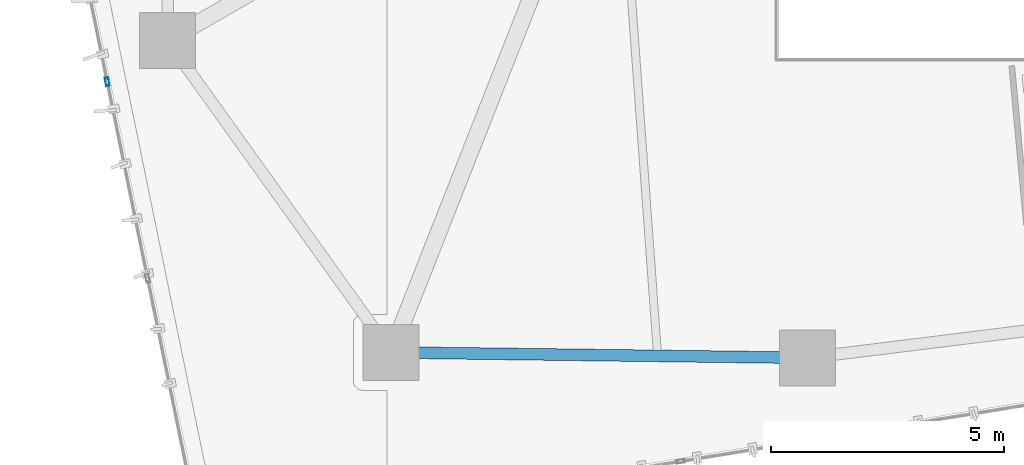
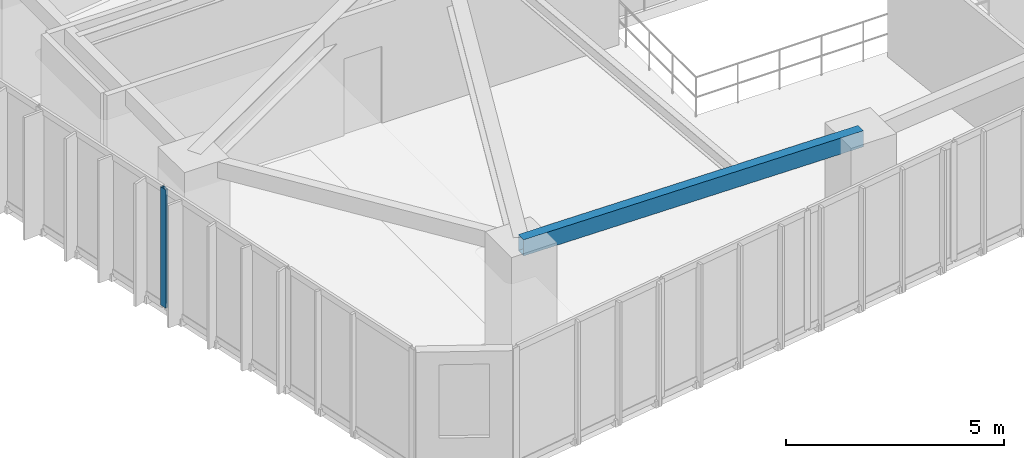
# One storey, part 3 of 23: 1 beam, 1 member, 1 element without a shape of its own.
"""IFC4 building model written with IfcOpenShell, lengths in metres."""

from ifc_helpers import new_model, si_unit, direction, frame, origin, origin_2d, place, context, subcontext, project, spatial, hollow_rectangle, extrude, source, transform, mapped, material, layer, layer_set, material_profile, profile_set, type_object, type_shapes, element, aggregate, save


model = new_model("IFC4")

# Units and contexts
model_context = context("Model", 3, precision=1e-05, world=origin(), true_north=direction((0.0, 1.0)))
body_context = subcontext(model_context, "Body", "Model", "MODEL_VIEW")
ifc_project = project(units=[si_unit("LENGTHUNIT", "METRE"), si_unit("AREAUNIT", "SQUARE_METRE"), si_unit("VOLUMEUNIT", "CUBIC_METRE"), si_unit("PLANEANGLEUNIT", "RADIAN"), si_unit("MASSUNIT", "GRAM", prefix="KILO")], contexts=[model_context])

# Site, building, storey
site_placement = place(None, origin())
site = spatial("IfcSite", under=ifc_project, at=site_placement, CompositionType="ELEMENT")
building_placement = place(site_placement, origin())
building = spatial("IfcBuilding", under=site, at=building_placement, Name="Talar Marvaseh", CompositionType="ELEMENT")
storey_placement = place(building_placement, frame((0.0, 0.0, 118.199951171875)))
storey = spatial("IfcBuildingStorey", under=building, at=storey_placement, Name="L30", CompositionType="ELEMENT", Elevation=118.199951171875)

# Beam
ifc_material_1 = material(Name="Steel S355", Category="steel")
ifc_material_profile_1 = material_profile(ifc_material_1, hollow_rectangle(XDim=0.25, YDim=0.449951171875, WallThickness=0.01611328125, at=origin_2d()), Name="RHS450x250x16")
ifc_profile_set_1 = profile_set([ifc_material_profile_1], Name="Steel S355")
beam_type = type_object("IfcBeamType", Name="Zone 2 Perimeter Spandrel Beam RHS450x250x16", PredefinedType="SPANDREL", material=ifc_profile_set_1)
beam_placement = place(storey_placement, frame((22.804931640625, 13.18310546875, 3.0849609375), z_axis=(-0.999915383581, 0.013008677034, 0.0), x_axis=(-0.013008677034, -0.999915383581, 0.0)))
element("IfcBeam", 1, at=beam_placement, inside=storey, type_object=beam_type, Name="L30 Zone 2 Perimeter Spandrel Beam RHS450x250x16", PredefinedType="SPANDREL", context=body_context, shape_type="SweptSolid", body=[
    extrude(hollow_rectangle(XDim=0.25, YDim=0.449951171875, WallThickness=0.01611328125, at=origin_2d()), origin(), (0.0, 0.0, 1.0), 8.91455078125),
])

# Curtain wall, member
ifc_material_2 = material(Name="Architectural Aluminium", Category="aluminium")
ifc_layer = layer(ifc_material_2, 0.199951171875)
ifc_layer_set = layer_set([ifc_layer], Name="Architectural Aluminium")
curtain_wall_type = type_object("IfcCurtainWallType", Name="Unitised Acoustic Library Curtain Wall Z2", PredefinedType="NOTDEFINED", material=ifc_layer_set)
curtain_wall_placement = place(storey_placement, origin())
curtain_wall = element("IfcCurtainWall", 2, at=curtain_wall_placement, inside=storey, type_object=curtain_wall_type, Name="L30 Unitised Acoustic Library Curtain Wall Z2", PredefinedType="NOTDEFINED")
ifc_material_profile_2 = material_profile(ifc_material_2, hollow_rectangle(XDim=0.074951171875, YDim=0.179931640625, WallThickness=0.0048828125, at=origin_2d()), Name="RHS180x75x5")
ifc_profile_set_2 = profile_set([ifc_material_profile_2], Name="Architectural Aluminium")
member_type = type_object("IfcMemberType", Name="Unitised Curtain Wall Standard Mullion RHS180x75x5", PredefinedType="MULLION", material=ifc_profile_set_2)
shared_shape = source(origin(), body_context, "Body", "SweptSolid", [
    extrude(hollow_rectangle(XDim=0.074951171875, YDim=0.179931640625, WallThickness=0.0048828125, at=origin_2d()), origin(), (0.0, 0.0, 1.0), 3.31005859375),
])
type_shapes(member_type, [shared_shape])
member_placement = place(storey_placement, frame((7.810546875, 19.095458984375, 0.0), z_axis=(0.0, 0.0, 1.0), x_axis=(-0.979588987607, -0.201010983182, 0.0)))
member = element("IfcMember", 3, at=member_placement, type_object=member_type, Name="CW-Z2 mullion 3", PredefinedType="MULLION", context=body_context, shape_type="MappedRepresentation", body=[
    mapped(shared_shape, transform((0.0, 0.0, 0.0), x_axis=(1.0, 0.0, 0.0), y_axis=(0.0, 1.0, 0.0), z_axis=(0.0, 0.0, 1.0), scale=1.0)),
])
aggregate(curtain_wall, [member])

save(model, "model.ifc")
